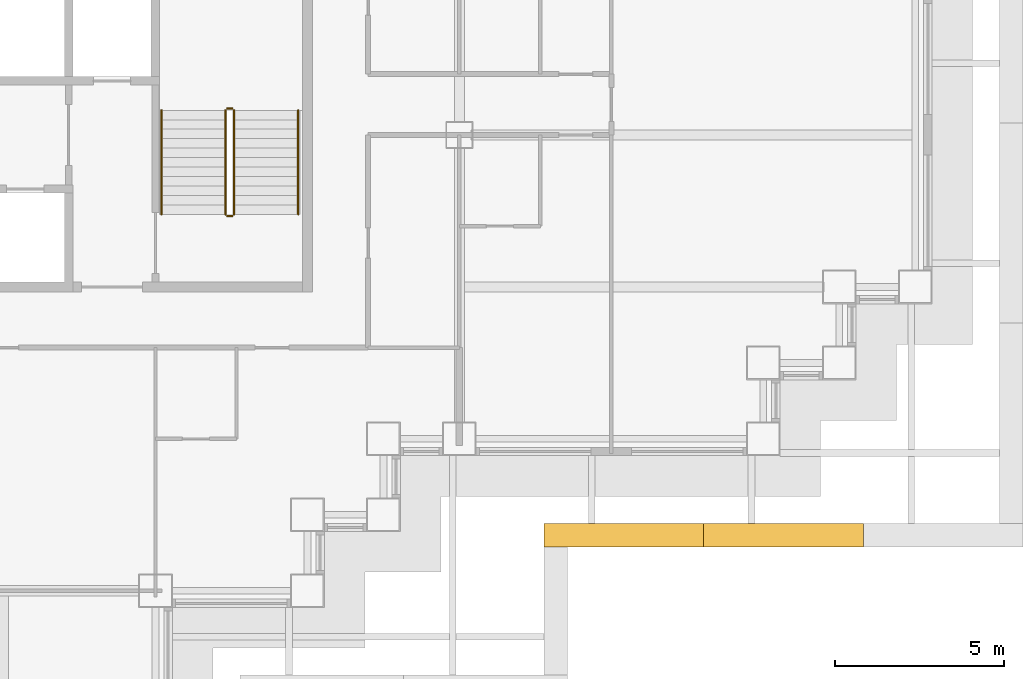
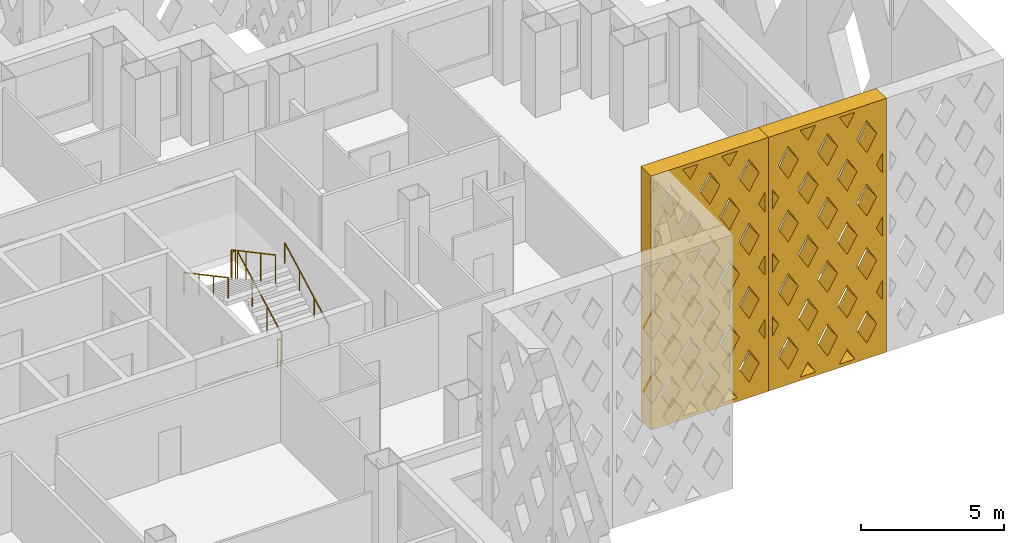
# One storey, part 16 of 19: 6 railings, 2 shading devices.
"""IFC4 building model written with IfcOpenShell, lengths in metres."""

from ifc_helpers import new_model, si_unit, direction, frame, origin, origin_2d, place, context, subcontext, project, spatial, polyline, circle, outline, extrude, material, type_object, element, save


model = new_model("IFC4")

# Units and contexts
model_context = context("Model", 3, precision=1e-05, world=origin(), true_north=direction((0.0, 1.0)))
body_context = subcontext(model_context, "Body", "Model", "MODEL_VIEW")
ifc_project = project(units=[si_unit("LENGTHUNIT", "METRE"), si_unit("AREAUNIT", "SQUARE_METRE"), si_unit("VOLUMEUNIT", "CUBIC_METRE"), si_unit("PLANEANGLEUNIT", "RADIAN"), si_unit("MASSUNIT", "GRAM", prefix="KILO")], contexts=[model_context])

# Site, building, storey
site_placement = place(None, origin())
site = spatial("IfcSite", under=ifc_project, at=site_placement, CompositionType="ELEMENT")
building_placement = place(site_placement, origin())
building = spatial("IfcBuilding", under=site, at=building_placement, Name="Caravel Reach Hotel and Residences", CompositionType="ELEMENT")
storey_placement = place(building_placement, frame((0.0, 0.0, 63.60009765625)))
storey = spatial("IfcBuildingStorey", under=building, at=storey_placement, Name="L14", CompositionType="ELEMENT", Elevation=63.60009765625)

# Shading devices
ifc_material_1 = material(Name="Black powder-coated aluminium", Category="aluminium")
shading_device_type = type_object("IfcShadingDeviceType", Name="Diamond lattice screen panel 4733 x 10800", PredefinedType="USERDEFINED", material=ifc_material_1)
shading_device_1_placement = place(storey_placement, frame((52.0, 15.5, 0.0), z_axis=(0.0, -1.0, 0.0), x_axis=(1.0, 0.0, 0.0)))
element("IfcShadingDevice", 1, at=shading_device_1_placement, inside=storey, type_object=shading_device_type, Name="Lattice screen L14-L16 6.1", ObjectType="SCREEN", PredefinedType="USERDEFINED", context=body_context, shape_type="SweptSolid", body=[
    extrude(outline(polyline([(0.0, 0.0), (4.7333984375, 0.0), (4.7333984375, 10.800048828125), (0.0, 10.800048828125), (0.0, 0.0)]), holes=[polyline([(0.4013671875, 2.699951171875), (0.14990234375, 3.130126953125), (0.14990234375, 2.269775390625), (0.4013671875, 2.699951171875)]), polyline([(0.4013671875, 5.39990234375), (0.14990234375, 5.830078125), (0.14990234375, 4.969970703125), (0.4013671875, 5.39990234375)]), polyline([(0.4013671875, 8.10009765625), (0.14990234375, 8.530029296875), (0.14990234375, 7.669921875), (0.4013671875, 8.10009765625)]), polyline([(0.788818359375, 2.036865234375), (0.387451171875, 1.35009765625), (0.788818359375, 0.6630859375), (1.190185546875, 1.35009765625), (0.788818359375, 2.036865234375)]), polyline([(0.788818359375, 4.73681640625), (0.387451171875, 4.050048828125), (0.788818359375, 3.36328125), (1.190185546875, 4.050048828125), (0.788818359375, 4.73681640625)]), polyline([(0.788818359375, 7.436767578125), (0.387451171875, 6.75), (0.788818359375, 6.063232421875), (1.190185546875, 6.75), (0.788818359375, 7.436767578125)]), polyline([(0.788818359375, 10.13671875), (0.387451171875, 9.449951171875), (0.788818359375, 8.76318359375), (1.190185546875, 9.449951171875), (0.788818359375, 10.13671875)]), polyline([(1.577880859375, 0.686767578125), (1.26416015625, 0.14990234375), (1.8916015625, 0.14990234375), (1.577880859375, 0.686767578125)]), polyline([(1.577880859375, 3.38671875), (1.176513671875, 2.699951171875), (1.577880859375, 2.01318359375), (1.979248046875, 2.699951171875), (1.577880859375, 3.38671875)]), polyline([(1.577880859375, 6.0869140625), (1.176513671875, 5.39990234375), (1.577880859375, 4.713134765625), (1.979248046875, 5.39990234375), (1.577880859375, 6.0869140625)]), polyline([(1.577880859375, 8.786865234375), (1.176513671875, 8.10009765625), (1.577880859375, 7.4130859375), (1.979248046875, 8.10009765625), (1.577880859375, 8.786865234375)]), polyline([(1.577880859375, 10.11328125), (1.8916015625, 10.64990234375), (1.26416015625, 10.64990234375), (1.577880859375, 10.11328125)]), polyline([(2.36669921875, 2.036865234375), (1.96533203125, 1.35009765625), (2.36669921875, 0.6630859375), (2.76806640625, 1.35009765625), (2.36669921875, 2.036865234375)]), polyline([(2.36669921875, 4.73681640625), (1.96533203125, 4.050048828125), (2.36669921875, 3.36328125), (2.76806640625, 4.050048828125), (2.36669921875, 4.73681640625)]), polyline([(2.36669921875, 7.436767578125), (1.96533203125, 6.75), (2.36669921875, 6.063232421875), (2.76806640625, 6.75), (2.36669921875, 7.436767578125)]), polyline([(2.36669921875, 10.13671875), (1.96533203125, 9.449951171875), (2.36669921875, 8.76318359375), (2.76806640625, 9.449951171875), (2.36669921875, 10.13671875)]), polyline([(3.155517578125, 0.686767578125), (2.841796875, 0.14990234375), (3.46923828125, 0.14990234375), (3.155517578125, 0.686767578125)]), polyline([(3.155517578125, 3.38671875), (2.754150390625, 2.699951171875), (3.155517578125, 2.01318359375), (3.556884765625, 2.699951171875), (3.155517578125, 3.38671875)]), polyline([(3.155517578125, 6.0869140625), (2.754150390625, 5.39990234375), (3.155517578125, 4.713134765625), (3.556884765625, 5.39990234375), (3.155517578125, 6.0869140625)]), polyline([(3.155517578125, 8.786865234375), (2.754150390625, 8.10009765625), (3.155517578125, 7.4130859375), (3.556884765625, 8.10009765625), (3.155517578125, 8.786865234375)]), polyline([(3.155517578125, 10.11328125), (3.46923828125, 10.64990234375), (2.841796875, 10.64990234375), (3.155517578125, 10.11328125)]), polyline([(3.9443359375, 2.036865234375), (3.54296875, 1.35009765625), (3.9443359375, 0.6630859375), (4.345703125, 1.35009765625), (3.9443359375, 2.036865234375)]), polyline([(3.9443359375, 4.73681640625), (3.54296875, 4.050048828125), (3.9443359375, 3.36328125), (4.345703125, 4.050048828125), (3.9443359375, 4.73681640625)]), polyline([(3.9443359375, 7.436767578125), (3.54296875, 6.75), (3.9443359375, 6.063232421875), (4.345703125, 6.75), (3.9443359375, 7.436767578125)]), polyline([(3.9443359375, 10.13671875), (3.54296875, 9.449951171875), (3.9443359375, 8.76318359375), (4.345703125, 9.449951171875), (3.9443359375, 10.13671875)]), polyline([(4.33203125, 2.699951171875), (4.583251953125, 2.269775390625), (4.583251953125, 3.130126953125), (4.33203125, 2.699951171875)]), polyline([(4.33203125, 5.39990234375), (4.583251953125, 4.969970703125), (4.583251953125, 5.830078125), (4.33203125, 5.39990234375)]), polyline([(4.33203125, 8.10009765625), (4.583251953125, 7.669921875), (4.583251953125, 8.530029296875), (4.33203125, 8.10009765625)])]), origin(), (0.0, 0.0, 1.0), 0.699951171875),
])
shading_device_2_placement = place(storey_placement, frame((56.7333984375, 15.5, 0.0), z_axis=(0.0, -1.0, 0.0), x_axis=(1.0, 0.0, 0.0)))
element("IfcShadingDevice", 2, at=shading_device_2_placement, inside=storey, type_object=shading_device_type, Name="Lattice screen L14-L16 6.2", ObjectType="SCREEN", PredefinedType="USERDEFINED", context=body_context, shape_type="SweptSolid", body=[
    extrude(outline(polyline([(0.0, 0.0), (4.7333984375, 0.0), (4.7333984375, 10.800048828125), (0.0, 10.800048828125), (0.0, 0.0)]), holes=[polyline([(0.4013671875, 2.699951171875), (0.14990234375, 3.130126953125), (0.14990234375, 2.269775390625), (0.4013671875, 2.699951171875)]), polyline([(0.4013671875, 5.39990234375), (0.14990234375, 5.830078125), (0.14990234375, 4.969970703125), (0.4013671875, 5.39990234375)]), polyline([(0.4013671875, 8.10009765625), (0.14990234375, 8.530029296875), (0.14990234375, 7.669921875), (0.4013671875, 8.10009765625)]), polyline([(0.788818359375, 2.036865234375), (0.387451171875, 1.35009765625), (0.788818359375, 0.6630859375), (1.190185546875, 1.35009765625), (0.788818359375, 2.036865234375)]), polyline([(0.788818359375, 4.73681640625), (0.387451171875, 4.050048828125), (0.788818359375, 3.36328125), (1.190185546875, 4.050048828125), (0.788818359375, 4.73681640625)]), polyline([(0.788818359375, 7.436767578125), (0.387451171875, 6.75), (0.788818359375, 6.063232421875), (1.190185546875, 6.75), (0.788818359375, 7.436767578125)]), polyline([(0.788818359375, 10.13671875), (0.387451171875, 9.449951171875), (0.788818359375, 8.76318359375), (1.190185546875, 9.449951171875), (0.788818359375, 10.13671875)]), polyline([(1.577880859375, 0.686767578125), (1.26416015625, 0.14990234375), (1.8916015625, 0.14990234375), (1.577880859375, 0.686767578125)]), polyline([(1.577880859375, 3.38671875), (1.176513671875, 2.699951171875), (1.577880859375, 2.01318359375), (1.979248046875, 2.699951171875), (1.577880859375, 3.38671875)]), polyline([(1.577880859375, 6.0869140625), (1.176513671875, 5.39990234375), (1.577880859375, 4.713134765625), (1.979248046875, 5.39990234375), (1.577880859375, 6.0869140625)]), polyline([(1.577880859375, 8.786865234375), (1.176513671875, 8.10009765625), (1.577880859375, 7.4130859375), (1.979248046875, 8.10009765625), (1.577880859375, 8.786865234375)]), polyline([(1.577880859375, 10.11328125), (1.8916015625, 10.64990234375), (1.26416015625, 10.64990234375), (1.577880859375, 10.11328125)]), polyline([(2.36669921875, 2.036865234375), (1.96533203125, 1.35009765625), (2.36669921875, 0.6630859375), (2.76806640625, 1.35009765625), (2.36669921875, 2.036865234375)]), polyline([(2.36669921875, 4.73681640625), (1.96533203125, 4.050048828125), (2.36669921875, 3.36328125), (2.76806640625, 4.050048828125), (2.36669921875, 4.73681640625)]), polyline([(2.36669921875, 7.436767578125), (1.96533203125, 6.75), (2.36669921875, 6.063232421875), (2.76806640625, 6.75), (2.36669921875, 7.436767578125)]), polyline([(2.36669921875, 10.13671875), (1.96533203125, 9.449951171875), (2.36669921875, 8.76318359375), (2.76806640625, 9.449951171875), (2.36669921875, 10.13671875)]), polyline([(3.155517578125, 0.686767578125), (2.841796875, 0.14990234375), (3.46923828125, 0.14990234375), (3.155517578125, 0.686767578125)]), polyline([(3.155517578125, 3.38671875), (2.754150390625, 2.699951171875), (3.155517578125, 2.01318359375), (3.556884765625, 2.699951171875), (3.155517578125, 3.38671875)]), polyline([(3.155517578125, 6.0869140625), (2.754150390625, 5.39990234375), (3.155517578125, 4.713134765625), (3.556884765625, 5.39990234375), (3.155517578125, 6.0869140625)]), polyline([(3.155517578125, 8.786865234375), (2.754150390625, 8.10009765625), (3.155517578125, 7.4130859375), (3.556884765625, 8.10009765625), (3.155517578125, 8.786865234375)]), polyline([(3.155517578125, 10.11328125), (3.46923828125, 10.64990234375), (2.841796875, 10.64990234375), (3.155517578125, 10.11328125)]), polyline([(3.9443359375, 2.036865234375), (3.54296875, 1.35009765625), (3.9443359375, 0.6630859375), (4.345703125, 1.35009765625), (3.9443359375, 2.036865234375)]), polyline([(3.9443359375, 4.73681640625), (3.54296875, 4.050048828125), (3.9443359375, 3.36328125), (4.345703125, 4.050048828125), (3.9443359375, 4.73681640625)]), polyline([(3.9443359375, 7.436767578125), (3.54296875, 6.75), (3.9443359375, 6.063232421875), (4.345703125, 6.75), (3.9443359375, 7.436767578125)]), polyline([(3.9443359375, 10.13671875), (3.54296875, 9.449951171875), (3.9443359375, 8.76318359375), (4.345703125, 9.449951171875), (3.9443359375, 10.13671875)]), polyline([(4.33203125, 2.699951171875), (4.583251953125, 2.269775390625), (4.583251953125, 3.130126953125), (4.33203125, 2.699951171875)]), polyline([(4.33203125, 5.39990234375), (4.583251953125, 4.969970703125), (4.583251953125, 5.830078125), (4.33203125, 5.39990234375)]), polyline([(4.33203125, 8.10009765625), (4.583251953125, 7.669921875), (4.583251953125, 8.530029296875), (4.33203125, 8.10009765625)])]), origin(), (0.0, 0.0, 1.0), 0.699951171875),
])

# Railings
ifc_material_2 = material(Name="Steel balustrade with glass infill", Category="steel")
railing_type_1 = type_object("IfcRailingType", Name="Guard 1200", PredefinedType="GUARDRAIL", material=ifc_material_2)
railing_1_placement = place(storey_placement, frame((42.824951171875, 24.64990234375, 0.14990234375)))
element("IfcRailing", 3, at=railing_1_placement, inside=storey, type_object=railing_type_1, Name="L14 ST-B stair guard 1", PredefinedType="GUARDRAIL", context=body_context, shape_type="SweptSolid", body=[
    extrude(circle(Radius=0.02392578125, at=origin_2d()), frame((0.0, 0.0, 1.17578125), z_axis=(0.0, 0.881496589024, 0.472190389079), x_axis=(-1.0, 0.0, 0.0)), (0.0, 0.0, 1.0), 3.494140625),
    extrude(circle(Radius=0.02099609375, at=origin_2d()), origin(), (0.0, 0.0, 1.0), 1.15185546875),
    extrude(circle(Radius=0.02099609375, at=origin_2d()), frame((0.0, 1.026611328125, 0.550048828125)), (0.0, 0.0, 1.0), 1.15185546875),
    extrude(circle(Radius=0.02099609375, at=origin_2d()), frame((0.0, 2.053466796875, 1.099853515625)), (0.0, 0.0, 1.0), 1.15185546875),
    extrude(circle(Radius=0.02099609375, at=origin_2d()), frame((0.0, 3.080078125, 1.64990234375)), (0.0, 0.0, 1.0), 1.15185546875),
])
railing_2_placement = place(storey_placement, frame((42.77490234375, 27.780029296875, 1.7998046875)))
element("IfcRailing", 4, at=railing_2_placement, inside=storey, type_object=railing_type_1, Name="L14 ST-B stair guard 2", PredefinedType="GUARDRAIL", context=body_context, shape_type="SweptSolid", body=[
    extrude(circle(Radius=0.02392578125, at=origin_2d()), frame((0.0, 0.0, 1.17578125), z_axis=(-1.0, 0.0, 0.0), x_axis=(0.0, -1.0, 0.0)), (0.0, 0.0, 1.0), 0.14990234375),
    extrude(circle(Radius=0.02099609375, at=origin_2d()), origin(), (0.0, 0.0, 1.0), 1.15185546875),
    extrude(circle(Radius=0.02099609375, at=origin_2d()), frame((-0.14990234375, 0.0, 0.0)), (0.0, 0.0, 1.0), 1.15185546875),
])
railing_3_placement = place(storey_placement, frame((42.574951171875, 27.72998046875, 1.949951171875)))
element("IfcRailing", 5, at=railing_3_placement, inside=storey, type_object=railing_type_1, Name="L14 ST-B stair guard 3", PredefinedType="GUARDRAIL", context=body_context, shape_type="SweptSolid", body=[
    extrude(circle(Radius=0.02392578125, at=origin_2d()), frame((0.0, 0.0, 1.17578125), z_axis=(0.0, -0.881496589024, 0.472190389079), x_axis=(1.0, 0.0, 0.0)), (0.0, 0.0, 1.0), 3.494140625),
    extrude(circle(Radius=0.02099609375, at=origin_2d()), origin(), (0.0, 0.0, 1.0), 1.15185546875),
    extrude(circle(Radius=0.02099609375, at=origin_2d()), frame((0.0, -1.026611328125, 0.550048828125)), (0.0, 0.0, 1.0), 1.15185546875),
    extrude(circle(Radius=0.02099609375, at=origin_2d()), frame((0.0, -2.053466796875, 1.099853515625)), (0.0, 0.0, 1.0), 1.15185546875),
    extrude(circle(Radius=0.02099609375, at=origin_2d()), frame((0.0, -3.080078125, 1.64990234375)), (0.0, 0.0, 1.0), 1.15185546875),
])
railing_4_placement = place(storey_placement, frame((42.77490234375, 24.60009765625, 0.0)))
element("IfcRailing", 6, at=railing_4_placement, inside=storey, type_object=railing_type_1, Name="L14 ST-B stair guard 4", PredefinedType="GUARDRAIL", context=body_context, shape_type="SweptSolid", body=[
    extrude(circle(Radius=0.02392578125, at=origin_2d()), frame((0.0, 0.0, 1.17578125), z_axis=(-1.0, 0.0, 0.0), x_axis=(0.0, -1.0, 0.0)), (0.0, 0.0, 1.0), 0.14990234375),
    extrude(circle(Radius=0.02099609375, at=origin_2d()), origin(), (0.0, 0.0, 1.0), 1.15185546875),
    extrude(circle(Radius=0.02099609375, at=origin_2d()), frame((-0.14990234375, 0.0, 0.0)), (0.0, 0.0, 1.0), 1.15185546875),
])
ifc_material_3 = material(Name="Stainless steel handrail", Category="steel")
railing_type_2 = type_object("IfcRailingType", Name="Handrail 900", PredefinedType="HANDRAIL", material=ifc_material_3)
railing_5_placement = place(storey_placement, frame((44.72509765625, 24.64990234375, 0.14990234375)))
element("IfcRailing", 7, at=railing_5_placement, inside=storey, type_object=railing_type_2, Name="L14 ST-B stair handrail 1", PredefinedType="HANDRAIL", context=body_context, shape_type="SweptSolid", body=[
    extrude(circle(Radius=0.02392578125, at=origin_2d()), frame((0.0, 0.0, 0.8759765625), z_axis=(0.0, 0.881496589024, 0.472190389079), x_axis=(-1.0, 0.0, 0.0)), (0.0, 0.0, 1.0), 3.494140625),
    extrude(circle(Radius=0.02099609375, at=origin_2d()), origin(), (0.0, 0.0, 1.0), 0.851806640625),
    extrude(circle(Radius=0.02099609375, at=origin_2d()), frame((0.0, 1.026611328125, 0.550048828125)), (0.0, 0.0, 1.0), 0.851806640625),
    extrude(circle(Radius=0.02099609375, at=origin_2d()), frame((0.0, 2.053466796875, 1.099853515625)), (0.0, 0.0, 1.0), 0.851806640625),
    extrude(circle(Radius=0.02099609375, at=origin_2d()), frame((0.0, 3.080078125, 1.64990234375)), (0.0, 0.0, 1.0), 0.851806640625),
])
railing_6_placement = place(storey_placement, frame((40.675048828125, 27.72998046875, 1.949951171875)))
element("IfcRailing", 8, at=railing_6_placement, inside=storey, type_object=railing_type_2, Name="L14 ST-B stair handrail 2", PredefinedType="HANDRAIL", context=body_context, shape_type="SweptSolid", body=[
    extrude(circle(Radius=0.02392578125, at=origin_2d()), frame((0.0, 0.0, 0.8759765625), z_axis=(0.0, -0.881496589024, 0.472190389079), x_axis=(1.0, 0.0, 0.0)), (0.0, 0.0, 1.0), 3.494140625),
    extrude(circle(Radius=0.02099609375, at=origin_2d()), origin(), (0.0, 0.0, 1.0), 0.851806640625),
    extrude(circle(Radius=0.02099609375, at=origin_2d()), frame((0.0, -1.026611328125, 0.550048828125)), (0.0, 0.0, 1.0), 0.851806640625),
    extrude(circle(Radius=0.02099609375, at=origin_2d()), frame((0.0, -2.053466796875, 1.099853515625)), (0.0, 0.0, 1.0), 0.851806640625),
    extrude(circle(Radius=0.02099609375, at=origin_2d()), frame((0.0, -3.080078125, 1.64990234375)), (0.0, 0.0, 1.0), 0.851806640625),
])

save(model, "model.ifc")
